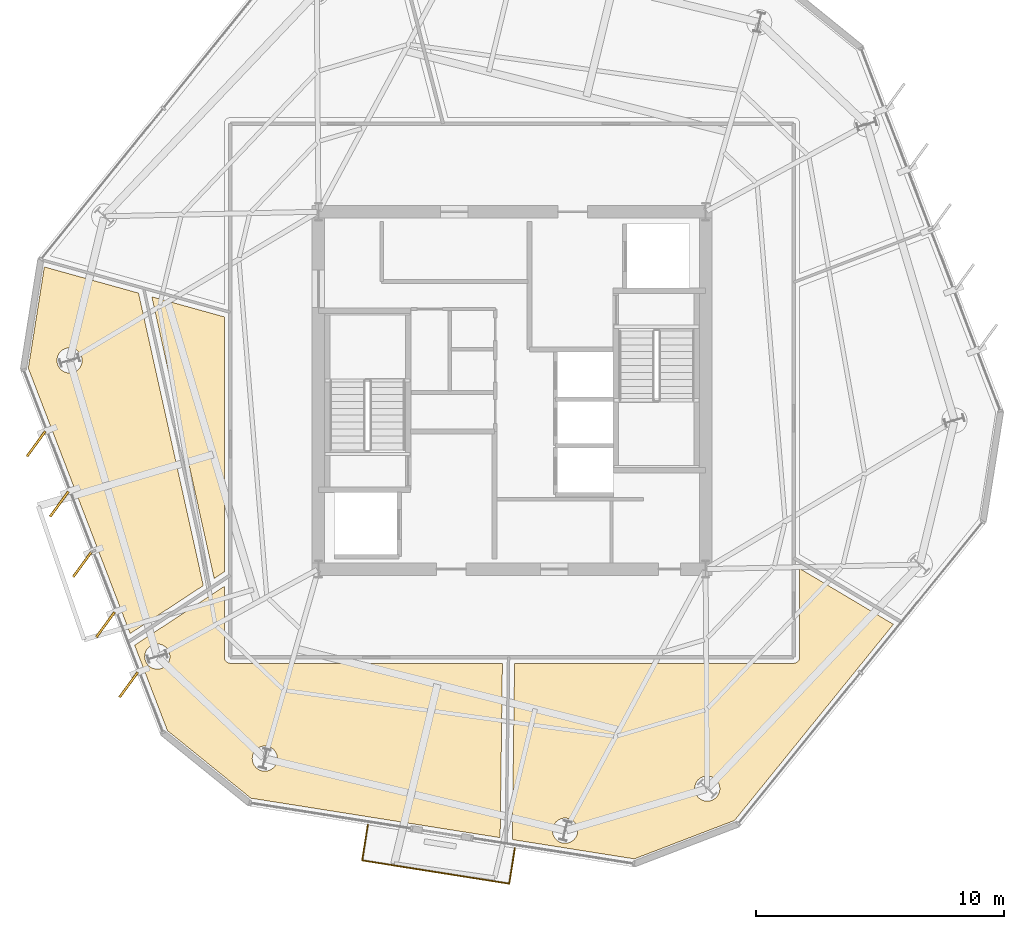
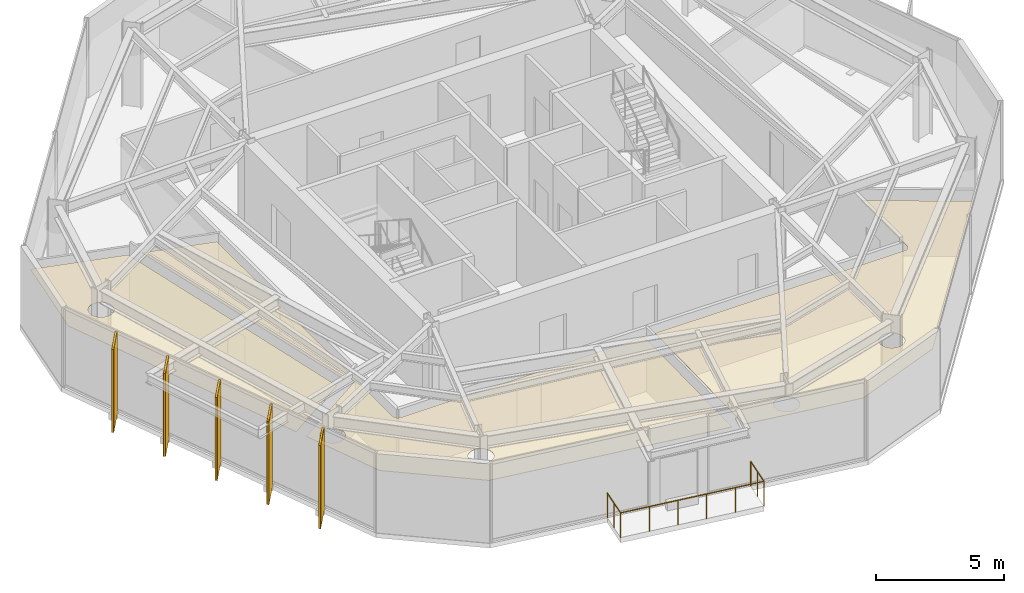
# One storey, part 9 of 11: 9 coverings, 5 shading devices, 1 railing.
"""IFC4 building model written with IfcOpenShell, lengths in metres."""

import ifcopenshell
import ifcopenshell.guid

model = None  # the IFC model being written
_history = None  # IfcOwnerHistory: only IFC2X3 demands one
_inside = {}  # id of a spatial element -> (the spatial element, [elements in it])
_under = {}  # id of a project, library or spatial element -> (it, [spatial elements below it])
_declared = {}  # id of a project -> (the project, [libraries it declares])
_typed = {}  # id of a type object -> (the type object, [elements of that type])
_made_of = {}  # id of a material, layer set ... -> (it, [elements and type objects made of it])


def new_model(schema):
    """Start an empty IFC model of exactly this schema.

    Asked for "IFC4X3", IfcOpenShell would pick the latest addendum, in which some entities
    have other attributes; the version numbers below select the first issue.
    IFC2X3 requires an IfcOwnerHistory on every rooted entity: one is made here for all.
    """
    global model, _history
    if schema == "IFC4X3":
        model = ifcopenshell.file(schema_version=(4, 3, 0, 0))
    else:
        model = ifcopenshell.file(schema=schema)
    _inside.clear()
    _under.clear()
    _declared.clear()
    _typed.clear()
    _made_of.clear()
    _history = None
    if model.schema == "IFC2X3":
        org = make("IfcOrganization", Name="unknown")
        user = make(
            "IfcPersonAndOrganization",
            ThePerson=make("IfcPerson", FamilyName="unknown"),
            TheOrganization=org,
        )
        app = make(
            "IfcApplication",
            ApplicationDeveloper=org,
            Version="unknown",
            ApplicationFullName="unknown",
            ApplicationIdentifier="unknown",
        )
        _history = make(
            "IfcOwnerHistory",
            OwningUser=user,
            OwningApplication=app,
            ChangeAction="ADDED",
            CreationDate=0,
        )
    return model


def make(cls, **values):
    """One entity of the class cls with the attributes given. An attribute that is None is left unset."""
    return model.create_entity(
        cls, **{name: value for name, value in values.items() if value is not None}
    )


def rooted(cls, **values):
    """An entity with a GlobalId (a new one), such as an element, a storey or a relation."""
    return make(cls, GlobalId=ifcopenshell.guid.new(), OwnerHistory=_history, **values)


def si_unit(unit_type, name, prefix=None):
    """IfcSIUnit, for example si_unit("LENGTHUNIT", "METRE", prefix="MILLI")."""
    return make("IfcSIUnit", UnitType=unit_type, Prefix=prefix, Name=name)


def assignment(units):
    """IfcUnitAssignment: the units of a project."""
    return None if units is None else make("IfcUnitAssignment", Units=units)


def point(xyz):
    """IfcCartesianPoint."""
    return None if xyz is None else make("IfcCartesianPoint", Coordinates=xyz)


def direction(xyz):
    """IfcDirection."""
    return None if xyz is None else make("IfcDirection", DirectionRatios=xyz)


def frame(location, z_axis=None, x_axis=None):
    """IfcAxis2Placement3D, a coordinate frame: its origin and axes. An axis left out is left unset."""
    return make(
        "IfcAxis2Placement3D",
        Location=point(location),
        Axis=direction(z_axis),
        RefDirection=direction(x_axis),
    )


def frame_2d(location, x_axis=None):
    """IfcAxis2Placement2D, a coordinate frame in the plane: its origin and x axis."""
    return make(
        "IfcAxis2Placement2D", Location=point(location), RefDirection=direction(x_axis)
    )


def origin():
    """The frame at (0, 0, 0) with its axes left unset."""
    return frame((0.0, 0.0, 0.0))


def origin_2d():
    """The frame at (0, 0) in the plane with its x axis left unset."""
    return frame_2d((0.0, 0.0))


def place(relative_to, where):
    """IfcLocalPlacement: puts the frame where relative to a parent placement (None: the world)."""
    return make(
        "IfcLocalPlacement", PlacementRelTo=relative_to, RelativePlacement=where
    )


def context(
    kind, dimensions, precision=None, world=None, true_north=None, identifier=None
):
    """IfcGeometricRepresentationContext, for example the 3D "Model" context."""
    return make(
        "IfcGeometricRepresentationContext",
        ContextIdentifier=identifier,
        ContextType=kind,
        CoordinateSpaceDimension=dimensions,
        Precision=precision,
        WorldCoordinateSystem=world,
        TrueNorth=true_north,
    )


def subcontext(parent, identifier, kind, view, scale=None):
    """IfcGeometricRepresentationSubContext, for example "Body" below "Model"."""
    return make(
        "IfcGeometricRepresentationSubContext",
        ContextIdentifier=identifier,
        ContextType=kind,
        ParentContext=parent,
        TargetScale=scale,
        TargetView=view,
    )


def project(units=None, contexts=None):
    """IfcProject with its units and contexts."""
    return rooted(
        "IfcProject",
        Name="project",
        RepresentationContexts=contexts,
        UnitsInContext=assignment(units),
    )


def spatial(cls, under=None, at=None, **own):
    """A site, building, storey or space (cls), placed at a placement, below another one or the project."""
    s = rooted(cls, ObjectPlacement=at, **own)
    if under is not None:
        _under.setdefault(under.id(), (under, []))[1].append(s)
    return s


def polyline(points):
    """IfcPolyline through the points."""
    return make("IfcPolyline", Points=[point(p) for p in points])


def profile(cls, at=None, kind="AREA", **sizes):
    """A parametric profile (cls). Its sizes go by their IFC names, for example OverallWidth=200.0."""
    return make(cls, ProfileType=kind, Position=at, **sizes)


def rectangle(**sizes):
    """IfcRectangleProfileDef."""
    return profile("IfcRectangleProfileDef", **sizes)


def circle(**sizes):
    """IfcCircleProfileDef."""
    return profile("IfcCircleProfileDef", **sizes)


def outline(outer, holes=None, kind="AREA"):
    """IfcArbitraryClosedProfileDef: a profile drawn as a closed curve; with holes, ...WithVoids."""
    if holes is None:
        return make("IfcArbitraryClosedProfileDef", ProfileType=kind, OuterCurve=outer)
    return make(
        "IfcArbitraryProfileDefWithVoids",
        ProfileType=kind,
        OuterCurve=outer,
        InnerCurves=holes,
    )


def extrude(swept, where, along, depth):
    """IfcExtrudedAreaSolid: the profile swept, set in the frame where, extruded along a direction by depth."""
    return make(
        "IfcExtrudedAreaSolid",
        SweptArea=swept,
        Position=where,
        ExtrudedDirection=direction(along),
        Depth=depth,
    )


def shape(context_of_items, identifier, shape_type, items):
    """IfcShapeRepresentation: the items that make up one representation, for example the "Body"."""
    return make(
        "IfcShapeRepresentation",
        ContextOfItems=context_of_items,
        RepresentationIdentifier=identifier,
        RepresentationType=shape_type,
        Items=items,
    )


def material(Name=None, Category=None):
    """IfcMaterial."""
    return make("IfcMaterial", Name=Name, Category=Category)


def layer(
    of_material, thickness, ventilated=None, Name=None, Category=None, Priority=None
):
    """IfcMaterialLayer: one layer of a wall or slab, of a material (None: an air gap)."""
    return make(
        "IfcMaterialLayer",
        Material=of_material,
        LayerThickness=thickness,
        IsVentilated=ventilated,
        Name=Name,
        Category=Category,
        Priority=Priority,
    )


def layer_set(layers, Name=None):
    """IfcMaterialLayerSet."""
    return make("IfcMaterialLayerSet", MaterialLayers=layers, LayerSetName=Name)


def made_of(thing, what):
    """Note that an element or type object is made of a material, layer set ...; save() writes the relation."""
    if what is not None:
        _made_of.setdefault(what.id(), (what, []))[1].append(thing)
    return thing


def type_object(cls, material=None, **own):
    """A type object (cls), such as IfcWallType, which elements share."""
    return made_of(rooted(cls, **own), material)


def element(
    cls,
    number,
    at=None,
    inside=None,
    cuts=None,
    type_object=None,
    material=None,
    context=None,
    identifier="Body",
    shape_type=None,
    held_by="IfcProductDefinitionShape",
    body=None,
    shapes=None,
    **own,
):
    """One element of the class cls, such as IfcWall. Its Tag is "e" and its number.

    at: its placement. inside: the storey or other place that contains it. cuts: it is an
    opening in that element (IfcRelVoidsElement). A single representation is given by context,
    identifier, shape_type and body (its items); several are given by shapes. held_by: the class
    of the entity that holds the representations. save() writes the other relations.
    """
    e = rooted(cls, Tag="e%d" % number, ObjectPlacement=at, **own)
    if body is not None:
        shapes = [shape(context, identifier, shape_type, body)]
    if shapes is not None:
        e.Representation = make(held_by, Representations=shapes)
    if inside is not None:
        _inside.setdefault(inside.id(), (inside, []))[1].append(e)
    if cuts is not None:
        rooted(
            "IfcRelVoidsElement", RelatingBuildingElement=cuts, RelatedOpeningElement=e
        )
    if type_object is not None:
        _typed.setdefault(type_object.id(), (type_object, []))[1].append(e)
    return made_of(e, material)


def aggregate(whole, parts):
    """IfcRelAggregates: a whole, such as a stair, and the parts it consists of."""
    return rooted("IfcRelAggregates", RelatingObject=whole, RelatedObjects=parts)


def save(model, path):
    """Write the relations noted so far, then the file.

    IfcRelAggregates (storeys below a building ...), IfcRelContainedInSpatialStructure (elements
    in a storey), IfcRelDefinesByType, IfcRelAssociatesMaterial and IfcRelDeclares: one each for
    every whole, place, type object, material and project.
    """
    for whole, parts in _under.values():
        aggregate(whole, parts)
    for where, things in _inside.values():
        rooted(
            "IfcRelContainedInSpatialStructure",
            RelatedElements=things,
            RelatingStructure=where,
        )
    for kind, things in _typed.values():
        rooted("IfcRelDefinesByType", RelatedObjects=things, RelatingType=kind)
    for what, things in _made_of.values():
        rooted("IfcRelAssociatesMaterial", RelatedObjects=things, RelatingMaterial=what)
    for by, libraries in _declared.values():
        rooted("IfcRelDeclares", RelatingContext=by, RelatedDefinitions=libraries)
    model.write(path)


model = new_model("IFC4")

# Units and contexts
model_context = context("Model", 3, precision=1e-05, world=origin(), true_north=direction((0.0, 1.0)))
body_context = subcontext(model_context, "Body", "Model", "MODEL_VIEW")
ifc_project = project(units=[si_unit("LENGTHUNIT", "METRE"), si_unit("AREAUNIT", "SQUARE_METRE"), si_unit("VOLUMEUNIT", "CUBIC_METRE"), si_unit("PLANEANGLEUNIT", "RADIAN"), si_unit("MASSUNIT", "GRAM", prefix="KILO")], contexts=[model_context])

# Site, building, storey
site_placement = place(None, origin())
site = spatial("IfcSite", under=ifc_project, at=site_placement, CompositionType="ELEMENT")
building_placement = place(site_placement, origin())
building = spatial("IfcBuilding", under=site, at=building_placement, Name="Kranzbogen Civic Tower", CompositionType="ELEMENT")
storey_placement = place(building_placement, frame((0.0, 0.0, 228.800048828125)))
storey = spatial("IfcBuildingStorey", under=building, at=storey_placement, Name="L55", CompositionType="ELEMENT", Elevation=228.800048828125)

# Coverings
ifc_material_1 = material(Name="Pale Anodised Aluminium", Category="aluminium")
ifc_layer_1 = layer(ifc_material_1, 0.02490234375, Name="Pale Anodised Aluminium")
ifc_layer_set_1 = layer_set([ifc_layer_1], Name="Pale Anodised Aluminium")
covering_type_1 = type_object("IfcCoveringType", Name="Anodised Aluminium Vertical Fin Cladding 25 mm", PredefinedType="CLADDING", material=ifc_layer_set_1)
for number, where, z_axis, x_axis, name in (
    (1, (5.822998046875, 22.844970703125, -0.14013671875), (0.0, 0.0, 1.0), (-0.5895206578, -0.807753300227, 0.0), "L55 vertical fin pale-metal cladding F3-1"),
    (2, (6.7548828125, 20.41796875, -0.14013671875), (0.0, 0.0, 1.0), (-0.5895206578, -0.807753300227, 0.0), "L55 vertical fin pale-metal cladding F3-2"),
    (3, (7.68701171875, 17.990966796875, -0.14013671875), (0.0, 0.0, 1.0), (-0.5895206578, -0.807753300227, 0.0), "L55 vertical fin pale-metal cladding F3-3"),
    (4, (8.617919921875, 15.56298828125, -0.14013671875), (0.0, 0.0, 1.0), (-0.5895206578, -0.807753300227, 0.0), "L55 vertical fin pale-metal cladding F3-4"),
    (5, (9.550048828125, 13.135986328125, -0.14013671875), (0.0, 0.0, 1.0), (-0.5895206578, -0.807753300227, 0.0), "L55 vertical fin pale-metal cladding F3-5"),
):
    element("IfcCovering", number, at=place(storey_placement, frame(where, z_axis=z_axis, x_axis=x_axis)), inside=storey, type_object=covering_type_1, Name=name, PredefinedType="CLADDING", context=body_context, shape_type="SweptSolid", body=[
        extrude(rectangle(XDim=1.25, YDim=0.10009765625, at=origin_2d()), origin(), (0.0, 0.0, 1.0), 3.9599609375),
    ])

# Shading devices
ifc_material_2 = material(Name="Anodised Bronze Aluminium", Category="aluminium")
shading_device_type = type_object("IfcShadingDeviceType", Name="Anodised Bronze Vertical Facade Fin 1250x80", PredefinedType="USERDEFINED", material=ifc_material_2)
for number, where, z_axis, x_axis, name in (
    (6, (5.822998046875, 22.844970703125, -0.14013671875), (0.0, 0.0, 1.0), (-0.5895206578, -0.807753300227, 0.0), "L55 vertical exterior shading fin F3-1"),
    (7, (6.7548828125, 20.41796875, -0.14013671875), (0.0, 0.0, 1.0), (-0.5895206578, -0.807753300227, 0.0), "L55 vertical exterior shading fin F3-2"),
    (8, (7.68701171875, 17.990966796875, -0.14013671875), (0.0, 0.0, 1.0), (-0.5895206578, -0.807753300227, 0.0), "L55 vertical exterior shading fin F3-3"),
    (9, (8.617919921875, 15.56298828125, -0.14013671875), (0.0, 0.0, 1.0), (-0.5895206578, -0.807753300227, 0.0), "L55 vertical exterior shading fin F3-4"),
    (10, (9.550048828125, 13.135986328125, -0.14013671875), (0.0, 0.0, 1.0), (-0.5895206578, -0.807753300227, 0.0), "L55 vertical exterior shading fin F3-5"),
):
    element("IfcShadingDevice", number, at=place(storey_placement, frame(where, z_axis=z_axis, x_axis=x_axis)), inside=storey, type_object=shading_device_type, Name=name, ObjectType="FIN", PredefinedType="USERDEFINED", context=body_context, shape_type="SweptSolid", body=[
        extrude(rectangle(XDim=1.25, YDim=0.080078125, at=origin_2d()), origin(), (0.0, 0.0, 1.0), 3.9599609375),
    ])

# Railing
railing_type = type_object("IfcRailingType", Name="Cantilevered Balcony Glass and Bronze Balustrade 1200", PredefinedType="BALUSTRADE", material=ifc_material_2)
railing_placement = place(storey_placement, frame((19.18994140625, 7.492919921875, 0.0)))
element("IfcRailing", 11, at=railing_placement, inside=storey, type_object=railing_type, Name="L55 exterior terrace balustrade L55-TB1", PredefinedType="BALUSTRADE", context=body_context, shape_type="SweptSolid", body=[
    extrude(circle(Radius=0.02392578125, at=origin_2d()), frame((0.0, 0.0, 1.17578125), z_axis=(-0.156611103709, -0.987660347587, 0.0), x_axis=(0.987660347587, -0.156611103709, 0.0)), (0.0, 0.0, 1.0), 1.44970703125),
    extrude(circle(Radius=0.02392578125, at=origin_2d()), frame((-0.22705078125, -1.431884765625, 1.17578125), z_axis=(0.987703836906, -0.156336593803, 0.0), x_axis=(0.156336593803, 0.987703836906, 0.0)), (0.0, 0.0, 1.0), 5.999755859375),
    extrude(circle(Radius=0.02392578125, at=origin_2d()), frame((5.698974609375, -2.369873046875, 1.17578125), z_axis=(0.156611103709, 0.987660347587, 0.0), x_axis=(-0.987660347587, 0.156611103709, 0.0)), (0.0, 0.0, 1.0), 1.44970703125),
    extrude(circle(Radius=0.02099609375, at=origin_2d()), origin(), (0.0, 0.0, 1.0), 1.15185546875),
    extrude(circle(Radius=0.02099609375, at=origin_2d()), frame((-0.113525390625, -0.7158203125, 0.0)), (0.0, 0.0, 1.0), 1.15185546875),
    extrude(circle(Radius=0.02099609375, at=origin_2d()), frame((-0.22705078125, -1.431884765625, 0.0)), (0.0, 0.0, 1.0), 1.15185546875),
    extrude(circle(Radius=0.02099609375, at=origin_2d()), frame((0.958251953125, -1.619384765625, 0.0)), (0.0, 0.0, 1.0), 1.15185546875),
    extrude(circle(Radius=0.02099609375, at=origin_2d()), frame((2.143310546875, -1.80712890625, 0.0)), (0.0, 0.0, 1.0), 1.15185546875),
    extrude(circle(Radius=0.02099609375, at=origin_2d()), frame((3.32861328125, -1.99462890625, 0.0)), (0.0, 0.0, 1.0), 1.15185546875),
    extrude(circle(Radius=0.02099609375, at=origin_2d()), frame((4.513671875, -2.182373046875, 0.0)), (0.0, 0.0, 1.0), 1.15185546875),
    extrude(circle(Radius=0.02099609375, at=origin_2d()), frame((5.698974609375, -2.369873046875, 0.0)), (0.0, 0.0, 1.0), 1.15185546875),
    extrude(circle(Radius=0.02099609375, at=origin_2d()), frame((5.8125, -1.65380859375, 0.0)), (0.0, 0.0, 1.0), 1.15185546875),
    extrude(circle(Radius=0.02099609375, at=origin_2d()), frame((5.926025390625, -0.93798828125, 0.0)), (0.0, 0.0, 1.0), 1.15185546875),
])

# Coverings
ifc_material_3 = material(Name="Perforated Acoustic Gypsum Ceiling")
ifc_layer_2 = layer(ifc_material_3, 0.02490234375, Name="Perforated Acoustic Gypsum Ceiling")
ifc_layer_set_2 = layer_set([ifc_layer_2], Name="Perforated Acoustic Gypsum Ceiling")
covering_type_2 = type_object("IfcCoveringType", Name="Perforated Acoustic Mineral Ceiling Tile 25 mm", PredefinedType="CEILING", material=ifc_layer_set_2)
covering_1_placement = place(storey_placement, frame((0.0, 0.0, 2.75)))
element("IfcCovering", 12, at=covering_1_placement, inside=storey, type_object=covering_type_2, Name="L55 Delegates Sitting Lounge acoustic ceiling", PredefinedType="CEILING", context=body_context, shape_type="SweptSolid", body=[
    extrude(outline(polyline([(13.405029296875, 17.68798828125), (12.9990234375, 17.422119140625), (10.486083984375, 28.77392578125), (13.405029296875, 27.964111328125), (13.405029296875, 17.68798828125)])), origin(), (0.0, 0.0, 1.0), 0.02490234375),
])
covering_2_placement = place(storey_placement, frame((0.0, 0.0, 2.75)))
element("IfcCovering", 13, at=covering_2_placement, inside=storey, type_object=covering_type_2, Name="L55 Executive Research Study acoustic ceiling", PredefinedType="CEILING", context=body_context, shape_type="SweptSolid", body=[
    extrude(outline(polyline([(9.950927734375, 28.922119140625), (12.56103515625, 17.135009765625), (9.614013671875, 15.201904296875), (5.509033203125, 25.89697265625), (6.155029296875, 29.97607421875), (9.950927734375, 28.922119140625)]), holes=[polyline([(7.64111328125, 26.014892578125), (7.618896484375, 25.969970703125), (7.593994140625, 25.927001953125), (7.56396484375, 25.886962890625), (7.531005859375, 25.85009765625), (7.493896484375, 25.81689453125), (7.4541015625, 25.787109375), (7.410888671875, 25.761962890625), (7.365966796875, 25.739990234375), (7.319091796875, 25.72412109375), (7.27099609375, 25.7119140625), (7.221923828125, 25.7041015625), (7.172119140625, 25.701904296875), (7.1220703125, 25.7041015625), (7.072998046875, 25.7119140625), (7.02490234375, 25.72412109375), (6.97802734375, 25.739990234375), (6.93310546875, 25.761962890625), (6.889892578125, 25.787109375), (6.85009765625, 25.81689453125), (6.81298828125, 25.85009765625), (6.780029296875, 25.886962890625), (6.75, 25.927001953125), (6.72509765625, 25.969970703125), (6.702880859375, 26.014892578125), (6.68701171875, 26.06201171875), (6.675048828125, 26.110107421875), (6.6669921875, 26.158935546875), (6.6650390625, 26.208984375), (6.6669921875, 26.259033203125), (6.675048828125, 26.30810546875), (6.68701171875, 26.35595703125), (6.702880859375, 26.403076171875), (6.72509765625, 26.447998046875), (6.75, 26.490966796875), (6.780029296875, 26.531005859375), (6.81298828125, 26.568115234375), (6.85009765625, 26.60107421875), (6.889892578125, 26.631103515625), (6.93310546875, 26.656005859375), (6.97802734375, 26.677978515625), (7.02490234375, 26.694091796875), (7.072998046875, 26.7060546875), (7.1220703125, 26.714111328125), (7.172119140625, 26.716064453125), (7.221923828125, 26.714111328125), (7.27099609375, 26.7060546875), (7.319091796875, 26.694091796875), (7.365966796875, 26.677978515625), (7.410888671875, 26.656005859375), (7.4541015625, 26.631103515625), (7.493896484375, 26.60107421875), (7.531005859375, 26.568115234375), (7.56396484375, 26.531005859375), (7.593994140625, 26.490966796875), (7.618896484375, 26.447998046875), (7.64111328125, 26.403076171875), (7.656982421875, 26.35595703125), (7.6689453125, 26.30810546875), (7.677001953125, 26.259033203125), (7.678955078125, 26.208984375), (7.677001953125, 26.158935546875), (7.6689453125, 26.110107421875), (7.656982421875, 26.06201171875), (7.64111328125, 26.014892578125)])]), origin(), (0.0, 0.0, 1.0), 0.02490234375),
])
covering_3_placement = place(storey_placement, frame((0.0, 0.0, 2.75)))
element("IfcCovering", 14, at=covering_3_placement, inside=storey, type_object=covering_type_2, Name="L55 Protocol Dining Room acoustic ceiling", PredefinedType="CEILING", context=body_context, shape_type="SweptSolid", body=[
    extrude(outline(polyline([(11.114990234375, 11.291015625), (9.7939453125, 14.73388671875), (13.405029296875, 17.10205078125), (13.405029296875, 14.25), (13.405029296875, 14.240966796875), (13.406005859375, 14.235107421875), (13.406982421875, 14.217041015625), (13.407958984375, 14.2109375), (13.412109375, 14.194091796875), (13.4130859375, 14.18701171875), (13.41796875, 14.169921875), (13.419921875, 14.1640625), (13.427001953125, 14.14794921875), (13.429931640625, 14.14208984375), (13.43798828125, 14.126953125), (13.44189453125, 14.12109375), (13.450927734375, 14.10693359375), (13.455078125, 14.10205078125), (13.466064453125, 14.087890625), (13.470947265625, 14.0830078125), (13.48291015625, 14.071044921875), (13.488037109375, 14.06591796875), (13.501953125, 14.054931640625), (13.507080078125, 14.051025390625), (13.52099609375, 14.0419921875), (13.527099609375, 14.0380859375), (13.5419921875, 14.030029296875), (13.548095703125, 14.027099609375), (13.56396484375, 14.02001953125), (13.570068359375, 14.01806640625), (13.5869140625, 14.012939453125), (13.593994140625, 14.011962890625), (13.611083984375, 14.008056640625), (13.616943359375, 14.007080078125), (13.635009765625, 14.006103515625), (13.64111328125, 14.0048828125), (13.64990234375, 14.0048828125), (24.613037109375, 14.0048828125), (24.52197265625, 6.97802734375), (14.47802734375, 8.568115234375), (11.114990234375, 11.291015625)]), holes=[polyline([(15.508056640625, 9.970947265625), (15.486083984375, 9.926025390625), (15.4609375, 9.883056640625), (15.430908203125, 9.843017578125), (15.39794921875, 9.805908203125), (15.361083984375, 9.77294921875), (15.321044921875, 9.742919921875), (15.278076171875, 9.718017578125), (15.23291015625, 9.696044921875), (15.18603515625, 9.679931640625), (15.137939453125, 9.66796875), (15.089111328125, 9.659912109375), (15.0390625, 9.657958984375), (14.989013671875, 9.659912109375), (14.93994140625, 9.66796875), (14.89208984375, 9.679931640625), (14.844970703125, 9.696044921875), (14.800048828125, 9.718017578125), (14.757080078125, 9.742919921875), (14.717041015625, 9.77294921875), (14.679931640625, 9.805908203125), (14.64697265625, 9.843017578125), (14.616943359375, 9.883056640625), (14.592041015625, 9.926025390625), (14.570068359375, 9.970947265625), (14.553955078125, 10.01806640625), (14.5419921875, 10.06591796875), (14.533935546875, 10.114990234375), (14.531982421875, 10.1650390625), (14.533935546875, 10.215087890625), (14.5419921875, 10.263916015625), (14.553955078125, 10.31201171875), (14.570068359375, 10.35888671875), (14.592041015625, 10.404052734375), (14.616943359375, 10.447021484375), (14.64697265625, 10.487060546875), (14.679931640625, 10.52392578125), (14.717041015625, 10.556884765625), (14.757080078125, 10.5869140625), (14.800048828125, 10.612060546875), (14.844970703125, 10.634033203125), (14.89208984375, 10.64990234375), (14.93994140625, 10.662109375), (14.989013671875, 10.669921875), (15.0390625, 10.672119140625), (15.089111328125, 10.669921875), (15.137939453125, 10.662109375), (15.18603515625, 10.64990234375), (15.23291015625, 10.634033203125), (15.278076171875, 10.612060546875), (15.321044921875, 10.5869140625), (15.361083984375, 10.556884765625), (15.39794921875, 10.52392578125), (15.430908203125, 10.487060546875), (15.4609375, 10.447021484375), (15.486083984375, 10.404052734375), (15.508056640625, 10.35888671875), (15.52392578125, 10.31201171875), (15.535888671875, 10.263916015625), (15.5439453125, 10.215087890625), (15.5458984375, 10.1650390625), (15.5439453125, 10.114990234375), (15.535888671875, 10.06591796875), (15.52392578125, 10.01806640625), (15.508056640625, 9.970947265625)]), polyline([(11.176025390625, 14.08203125), (11.154052734375, 14.037109375), (11.12890625, 13.993896484375), (11.09912109375, 13.9541015625), (11.06591796875, 13.9169921875), (11.029052734375, 13.884033203125), (10.989013671875, 13.85400390625), (10.946044921875, 13.8291015625), (10.90087890625, 13.806884765625), (10.85400390625, 13.791015625), (10.805908203125, 13.779052734375), (10.757080078125, 13.77099609375), (10.70703125, 13.76904296875), (10.656982421875, 13.77099609375), (10.60791015625, 13.779052734375), (10.56005859375, 13.791015625), (10.512939453125, 13.806884765625), (10.468017578125, 13.8291015625), (10.425048828125, 13.85400390625), (10.385009765625, 13.884033203125), (10.347900390625, 13.9169921875), (10.31494140625, 13.9541015625), (10.284912109375, 13.993896484375), (10.260009765625, 14.037109375), (10.238037109375, 14.08203125), (10.221923828125, 14.12890625), (10.2099609375, 14.177001953125), (10.201904296875, 14.22607421875), (10.199951171875, 14.27587890625), (10.201904296875, 14.325927734375), (10.2099609375, 14.375), (10.221923828125, 14.423095703125), (10.238037109375, 14.469970703125), (10.260009765625, 14.514892578125), (10.284912109375, 14.55810546875), (10.31494140625, 14.597900390625), (10.347900390625, 14.635009765625), (10.385009765625, 14.66796875), (10.425048828125, 14.697998046875), (10.468017578125, 14.722900390625), (10.512939453125, 14.7451171875), (10.56005859375, 14.760986328125), (10.60791015625, 14.77294921875), (10.656982421875, 14.781005859375), (10.70703125, 14.782958984375), (10.757080078125, 14.781005859375), (10.805908203125, 14.77294921875), (10.85400390625, 14.760986328125), (10.90087890625, 14.7451171875), (10.946044921875, 14.722900390625), (10.989013671875, 14.697998046875), (11.029052734375, 14.66796875), (11.06591796875, 14.635009765625), (11.09912109375, 14.597900390625), (11.12890625, 14.55810546875), (11.154052734375, 14.514892578125), (11.176025390625, 14.469970703125), (11.19189453125, 14.423095703125), (11.2041015625, 14.375), (11.2119140625, 14.325927734375), (11.214111328125, 14.27587890625), (11.2119140625, 14.22607421875), (11.2041015625, 14.177001953125), (11.19189453125, 14.12890625), (11.176025390625, 14.08203125)])]), origin(), (0.0, 0.0, 1.0), 0.02490234375),
])
covering_4_placement = place(storey_placement, frame((0.0, 0.0, 2.75)))
element("IfcCovering", 15, at=covering_4_placement, inside=storey, type_object=covering_type_2, Name="L55 Public Delegation Reception acoustic ceiling", PredefinedType="CEILING", context=body_context, shape_type="SweptSolid", body=[
    extrude(outline(polyline([(29.929931640625, 6.1220703125), (25.010986328125, 6.90087890625), (25.10302734375, 14.0048828125), (36.35009765625, 14.0048828125), (36.35888671875, 14.0048828125), (36.364990234375, 14.006103515625), (36.383056640625, 14.007080078125), (36.388916015625, 14.008056640625), (36.406005859375, 14.011962890625), (36.4130859375, 14.012939453125), (36.429931640625, 14.01806640625), (36.43603515625, 14.02001953125), (36.451904296875, 14.027099609375), (36.4580078125, 14.030029296875), (36.472900390625, 14.0380859375), (36.47900390625, 14.0419921875), (36.492919921875, 14.051025390625), (36.498046875, 14.054931640625), (36.511962890625, 14.06591796875), (36.51708984375, 14.071044921875), (36.529052734375, 14.0830078125), (36.533935546875, 14.087890625), (36.544921875, 14.10205078125), (36.549072265625, 14.10693359375), (36.55810546875, 14.12109375), (36.56201171875, 14.126953125), (36.570068359375, 14.14208984375), (36.572998046875, 14.14794921875), (36.580078125, 14.1640625), (36.58203125, 14.169921875), (36.5869140625, 14.18701171875), (36.587890625, 14.194091796875), (36.592041015625, 14.2109375), (36.593017578125, 14.217041015625), (36.593994140625, 14.235107421875), (36.594970703125, 14.240966796875), (36.594970703125, 14.25), (36.594970703125, 17.819091796875), (40.368896484375, 15.574951171875), (33.968017578125, 7.6708984375), (29.929931640625, 6.1220703125)]), holes=[polyline([(27.60888671875, 7.06591796875), (27.5869140625, 7.02099609375), (27.56201171875, 6.97802734375), (27.531982421875, 6.93798828125), (27.4990234375, 6.90087890625), (27.4619140625, 6.867919921875), (27.422119140625, 6.837890625), (27.37890625, 6.81298828125), (27.333984375, 6.791015625), (27.287109375, 6.77490234375), (27.239013671875, 6.762939453125), (27.18994140625, 6.7548828125), (27.139892578125, 6.7529296875), (27.090087890625, 6.7548828125), (27.041015625, 6.762939453125), (26.992919921875, 6.77490234375), (26.946044921875, 6.791015625), (26.90087890625, 6.81298828125), (26.85791015625, 6.837890625), (26.818115234375, 6.867919921875), (26.781005859375, 6.90087890625), (26.748046875, 6.93798828125), (26.718017578125, 6.97802734375), (26.693115234375, 7.02099609375), (26.6708984375, 7.06591796875), (26.655029296875, 7.113037109375), (26.64306640625, 7.160888671875), (26.635009765625, 7.2099609375), (26.633056640625, 7.260009765625), (26.635009765625, 7.31005859375), (26.64306640625, 7.35888671875), (26.655029296875, 7.406982421875), (26.6708984375, 7.4541015625), (26.693115234375, 7.4990234375), (26.718017578125, 7.5419921875), (26.748046875, 7.58203125), (26.781005859375, 7.618896484375), (26.818115234375, 7.652099609375), (26.85791015625, 7.681884765625), (26.90087890625, 7.70703125), (26.946044921875, 7.72900390625), (26.992919921875, 7.7451171875), (27.041015625, 7.757080078125), (27.090087890625, 7.764892578125), (27.139892578125, 7.76708984375), (27.18994140625, 7.764892578125), (27.239013671875, 7.757080078125), (27.287109375, 7.7451171875), (27.333984375, 7.72900390625), (27.37890625, 7.70703125), (27.422119140625, 7.681884765625), (27.4619140625, 7.652099609375), (27.4990234375, 7.618896484375), (27.531982421875, 7.58203125), (27.56201171875, 7.5419921875), (27.5869140625, 7.4990234375), (27.60888671875, 7.4541015625), (27.625, 7.406982421875), (27.636962890625, 7.35888671875), (27.64501953125, 7.31005859375), (27.64697265625, 7.260009765625), (27.64501953125, 7.2099609375), (27.636962890625, 7.160888671875), (27.625, 7.113037109375), (27.60888671875, 7.06591796875)]), polyline([(33.3359375, 8.761962890625), (33.31396484375, 8.717041015625), (33.2890625, 8.674072265625), (33.259033203125, 8.634033203125), (33.22607421875, 8.596923828125), (33.18896484375, 8.56396484375), (33.14892578125, 8.533935546875), (33.10595703125, 8.509033203125), (33.06103515625, 8.487060546875), (33.013916015625, 8.470947265625), (32.966064453125, 8.458984375), (32.9169921875, 8.450927734375), (32.866943359375, 8.448974609375), (32.81689453125, 8.450927734375), (32.76806640625, 8.458984375), (32.719970703125, 8.470947265625), (32.673095703125, 8.487060546875), (32.6279296875, 8.509033203125), (32.5849609375, 8.533935546875), (32.544921875, 8.56396484375), (32.508056640625, 8.596923828125), (32.47509765625, 8.634033203125), (32.445068359375, 8.674072265625), (32.419921875, 8.717041015625), (32.39794921875, 8.761962890625), (32.382080078125, 8.80908203125), (32.3701171875, 8.85693359375), (32.362060546875, 8.906005859375), (32.360107421875, 8.9560546875), (32.362060546875, 9.006103515625), (32.3701171875, 9.054931640625), (32.382080078125, 9.10302734375), (32.39794921875, 9.14990234375), (32.419921875, 9.195068359375), (32.445068359375, 9.238037109375), (32.47509765625, 9.278076171875), (32.508056640625, 9.31494140625), (32.544921875, 9.347900390625), (32.5849609375, 9.3779296875), (32.6279296875, 9.403076171875), (32.673095703125, 9.425048828125), (32.719970703125, 9.44091796875), (32.76806640625, 9.452880859375), (32.81689453125, 9.4609375), (32.866943359375, 9.462890625), (32.9169921875, 9.4609375), (32.966064453125, 9.452880859375), (33.013916015625, 9.44091796875), (33.06103515625, 9.425048828125), (33.10595703125, 9.403076171875), (33.14892578125, 9.3779296875), (33.18896484375, 9.347900390625), (33.22607421875, 9.31494140625), (33.259033203125, 9.278076171875), (33.2890625, 9.238037109375), (33.31396484375, 9.195068359375), (33.3359375, 9.14990234375), (33.35205078125, 9.10302734375), (33.364013671875, 9.054931640625), (33.3720703125, 9.006103515625), (33.3740234375, 8.9560546875), (33.3720703125, 8.906005859375), (33.364013671875, 8.85693359375), (33.35205078125, 8.80908203125), (33.3359375, 8.761962890625)])]), origin(), (0.0, 0.0, 1.0), 0.02490234375),
])

save(model, "model.ifc")
